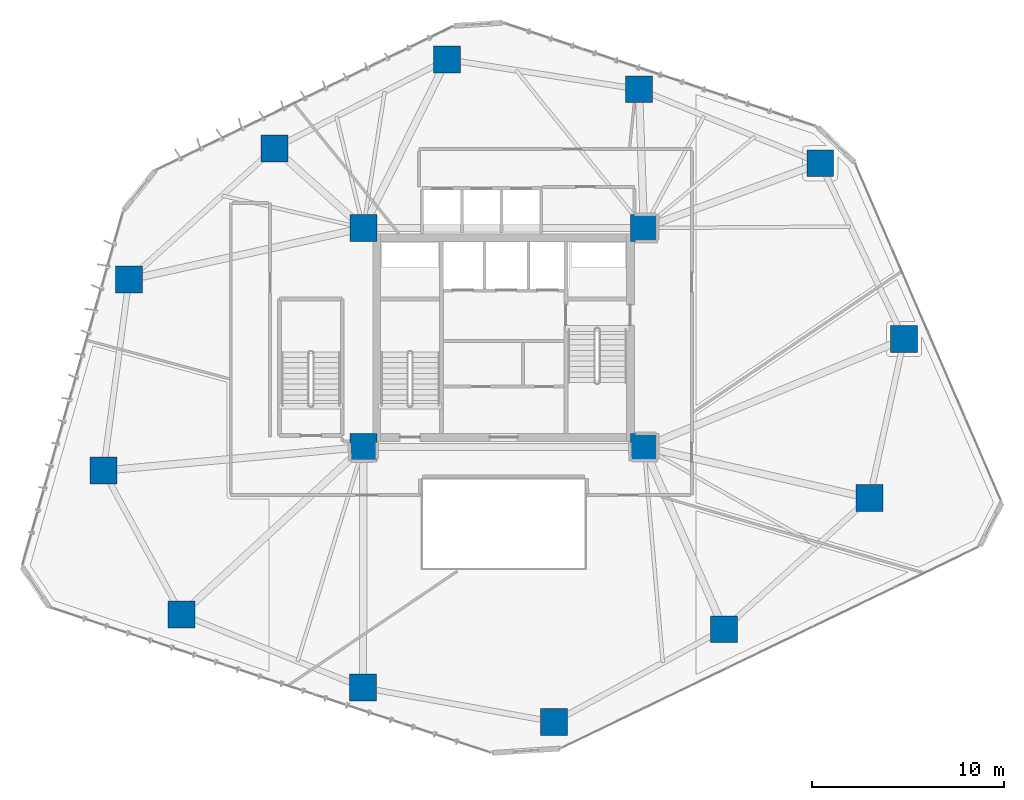
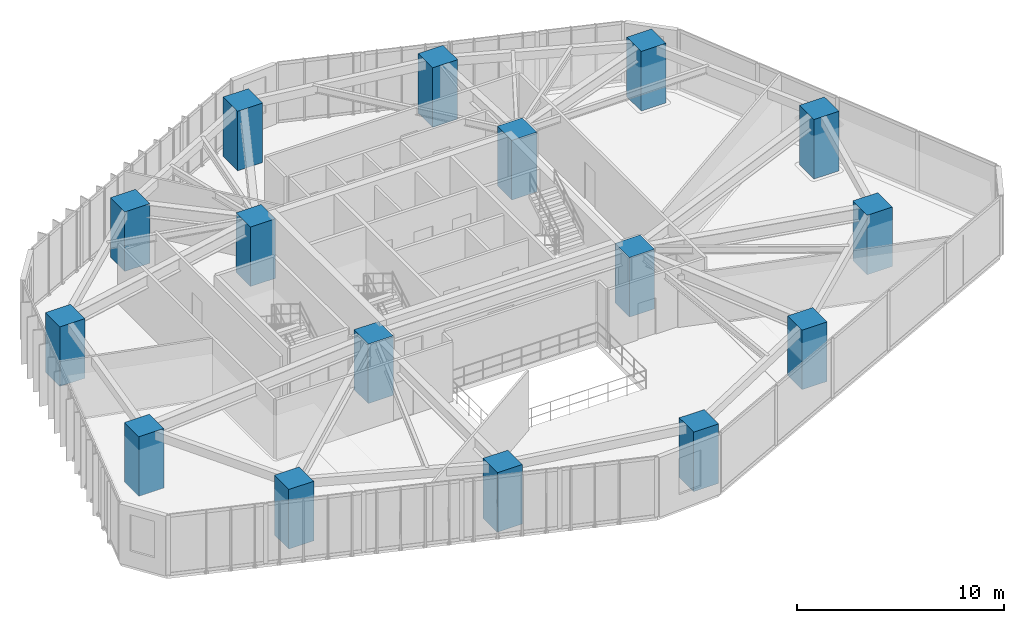
# One storey, part 1 of 23: 16 columns.
"""IFC4 building model written with IfcOpenShell, lengths in metres."""

import ifcopenshell
import ifcopenshell.guid

model = None  # the IFC model being written
_history = None  # IfcOwnerHistory: only IFC2X3 demands one
_inside = {}  # id of a spatial element -> (the spatial element, [elements in it])
_under = {}  # id of a project, library or spatial element -> (it, [spatial elements below it])
_declared = {}  # id of a project -> (the project, [libraries it declares])
_typed = {}  # id of a type object -> (the type object, [elements of that type])
_made_of = {}  # id of a material, layer set ... -> (it, [elements and type objects made of it])


def new_model(schema):
    """Start an empty IFC model of exactly this schema.

    Asked for "IFC4X3", IfcOpenShell would pick the latest addendum, in which some entities
    have other attributes; the version numbers below select the first issue.
    IFC2X3 requires an IfcOwnerHistory on every rooted entity: one is made here for all.
    """
    global model, _history
    if schema == "IFC4X3":
        model = ifcopenshell.file(schema_version=(4, 3, 0, 0))
    else:
        model = ifcopenshell.file(schema=schema)
    _inside.clear()
    _under.clear()
    _declared.clear()
    _typed.clear()
    _made_of.clear()
    _history = None
    if model.schema == "IFC2X3":
        org = make("IfcOrganization", Name="unknown")
        user = make(
            "IfcPersonAndOrganization",
            ThePerson=make("IfcPerson", FamilyName="unknown"),
            TheOrganization=org,
        )
        app = make(
            "IfcApplication",
            ApplicationDeveloper=org,
            Version="unknown",
            ApplicationFullName="unknown",
            ApplicationIdentifier="unknown",
        )
        _history = make(
            "IfcOwnerHistory",
            OwningUser=user,
            OwningApplication=app,
            ChangeAction="ADDED",
            CreationDate=0,
        )
    return model


def make(cls, **values):
    """One entity of the class cls with the attributes given. An attribute that is None is left unset."""
    return model.create_entity(
        cls, **{name: value for name, value in values.items() if value is not None}
    )


def rooted(cls, **values):
    """An entity with a GlobalId (a new one), such as an element, a storey or a relation."""
    return make(cls, GlobalId=ifcopenshell.guid.new(), OwnerHistory=_history, **values)


def si_unit(unit_type, name, prefix=None):
    """IfcSIUnit, for example si_unit("LENGTHUNIT", "METRE", prefix="MILLI")."""
    return make("IfcSIUnit", UnitType=unit_type, Prefix=prefix, Name=name)


def assignment(units):
    """IfcUnitAssignment: the units of a project."""
    return None if units is None else make("IfcUnitAssignment", Units=units)


def point(xyz):
    """IfcCartesianPoint."""
    return None if xyz is None else make("IfcCartesianPoint", Coordinates=xyz)


def direction(xyz):
    """IfcDirection."""
    return None if xyz is None else make("IfcDirection", DirectionRatios=xyz)


def frame(location, z_axis=None, x_axis=None):
    """IfcAxis2Placement3D, a coordinate frame: its origin and axes. An axis left out is left unset."""
    return make(
        "IfcAxis2Placement3D",
        Location=point(location),
        Axis=direction(z_axis),
        RefDirection=direction(x_axis),
    )


def frame_2d(location, x_axis=None):
    """IfcAxis2Placement2D, a coordinate frame in the plane: its origin and x axis."""
    return make(
        "IfcAxis2Placement2D", Location=point(location), RefDirection=direction(x_axis)
    )


def origin():
    """The frame at (0, 0, 0) with its axes left unset."""
    return frame((0.0, 0.0, 0.0))


def origin_2d():
    """The frame at (0, 0) in the plane with its x axis left unset."""
    return frame_2d((0.0, 0.0))


def place(relative_to, where):
    """IfcLocalPlacement: puts the frame where relative to a parent placement (None: the world)."""
    return make(
        "IfcLocalPlacement", PlacementRelTo=relative_to, RelativePlacement=where
    )


def context(
    kind, dimensions, precision=None, world=None, true_north=None, identifier=None
):
    """IfcGeometricRepresentationContext, for example the 3D "Model" context."""
    return make(
        "IfcGeometricRepresentationContext",
        ContextIdentifier=identifier,
        ContextType=kind,
        CoordinateSpaceDimension=dimensions,
        Precision=precision,
        WorldCoordinateSystem=world,
        TrueNorth=true_north,
    )


def subcontext(parent, identifier, kind, view, scale=None):
    """IfcGeometricRepresentationSubContext, for example "Body" below "Model"."""
    return make(
        "IfcGeometricRepresentationSubContext",
        ContextIdentifier=identifier,
        ContextType=kind,
        ParentContext=parent,
        TargetScale=scale,
        TargetView=view,
    )


def project(units=None, contexts=None):
    """IfcProject with its units and contexts."""
    return rooted(
        "IfcProject",
        Name="project",
        RepresentationContexts=contexts,
        UnitsInContext=assignment(units),
    )


def spatial(cls, under=None, at=None, **own):
    """A site, building, storey or space (cls), placed at a placement, below another one or the project."""
    s = rooted(cls, ObjectPlacement=at, **own)
    if under is not None:
        _under.setdefault(under.id(), (under, []))[1].append(s)
    return s


def profile(cls, at=None, kind="AREA", **sizes):
    """A parametric profile (cls). Its sizes go by their IFC names, for example OverallWidth=200.0."""
    return make(cls, ProfileType=kind, Position=at, **sizes)


def rectangle(**sizes):
    """IfcRectangleProfileDef."""
    return profile("IfcRectangleProfileDef", **sizes)


def extrude(swept, where, along, depth):
    """IfcExtrudedAreaSolid: the profile swept, set in the frame where, extruded along a direction by depth."""
    return make(
        "IfcExtrudedAreaSolid",
        SweptArea=swept,
        Position=where,
        ExtrudedDirection=direction(along),
        Depth=depth,
    )


def shape(context_of_items, identifier, shape_type, items):
    """IfcShapeRepresentation: the items that make up one representation, for example the "Body"."""
    return make(
        "IfcShapeRepresentation",
        ContextOfItems=context_of_items,
        RepresentationIdentifier=identifier,
        RepresentationType=shape_type,
        Items=items,
    )


def material(Name=None, Category=None):
    """IfcMaterial."""
    return make("IfcMaterial", Name=Name, Category=Category)


def material_profile(
    of_material, cross_section, Name=None, Category=None, Priority=None
):
    """IfcMaterialProfile: a cross section and its material."""
    return make(
        "IfcMaterialProfile",
        Name=Name,
        Material=of_material,
        Profile=cross_section,
        Priority=Priority,
        Category=Category,
    )


def profile_set(profiles, Name=None, composite=None):
    """IfcMaterialProfileSet."""
    return make(
        "IfcMaterialProfileSet",
        Name=Name,
        MaterialProfiles=profiles,
        CompositeProfile=composite,
    )


def made_of(thing, what):
    """Note that an element or type object is made of a material, layer set ...; save() writes the relation."""
    if what is not None:
        _made_of.setdefault(what.id(), (what, []))[1].append(thing)
    return thing


def type_object(cls, material=None, **own):
    """A type object (cls), such as IfcWallType, which elements share."""
    return made_of(rooted(cls, **own), material)


def element(
    cls,
    number,
    at=None,
    inside=None,
    cuts=None,
    type_object=None,
    material=None,
    context=None,
    identifier="Body",
    shape_type=None,
    held_by="IfcProductDefinitionShape",
    body=None,
    shapes=None,
    **own,
):
    """One element of the class cls, such as IfcWall. Its Tag is "e" and its number.

    at: its placement. inside: the storey or other place that contains it. cuts: it is an
    opening in that element (IfcRelVoidsElement). A single representation is given by context,
    identifier, shape_type and body (its items); several are given by shapes. held_by: the class
    of the entity that holds the representations. save() writes the other relations.
    """
    e = rooted(cls, Tag="e%d" % number, ObjectPlacement=at, **own)
    if body is not None:
        shapes = [shape(context, identifier, shape_type, body)]
    if shapes is not None:
        e.Representation = make(held_by, Representations=shapes)
    if inside is not None:
        _inside.setdefault(inside.id(), (inside, []))[1].append(e)
    if cuts is not None:
        rooted(
            "IfcRelVoidsElement", RelatingBuildingElement=cuts, RelatedOpeningElement=e
        )
    if type_object is not None:
        _typed.setdefault(type_object.id(), (type_object, []))[1].append(e)
    return made_of(e, material)


def aggregate(whole, parts):
    """IfcRelAggregates: a whole, such as a stair, and the parts it consists of."""
    return rooted("IfcRelAggregates", RelatingObject=whole, RelatedObjects=parts)


def save(model, path):
    """Write the relations noted so far, then the file.

    IfcRelAggregates (storeys below a building ...), IfcRelContainedInSpatialStructure (elements
    in a storey), IfcRelDefinesByType, IfcRelAssociatesMaterial and IfcRelDeclares: one each for
    every whole, place, type object, material and project.
    """
    for whole, parts in _under.values():
        aggregate(whole, parts)
    for where, things in _inside.values():
        rooted(
            "IfcRelContainedInSpatialStructure",
            RelatedElements=things,
            RelatingStructure=where,
        )
    for kind, things in _typed.values():
        rooted("IfcRelDefinesByType", RelatedObjects=things, RelatingType=kind)
    for what, things in _made_of.values():
        rooted("IfcRelAssociatesMaterial", RelatedObjects=things, RelatingMaterial=what)
    for by, libraries in _declared.values():
        rooted("IfcRelDeclares", RelatingContext=by, RelatedDefinitions=libraries)
    model.write(path)


model = new_model("IFC4")

# Units and contexts
model_context = context("Model", 3, precision=1e-05, world=origin(), true_north=direction((0.0, 1.0)))
body_context = subcontext(model_context, "Body", "Model", "MODEL_VIEW")
ifc_project = project(units=[si_unit("LENGTHUNIT", "METRE"), si_unit("AREAUNIT", "SQUARE_METRE"), si_unit("VOLUMEUNIT", "CUBIC_METRE"), si_unit("PLANEANGLEUNIT", "RADIAN"), si_unit("MASSUNIT", "GRAM", prefix="KILO")], contexts=[model_context])

# Site, building, storey
site_placement = place(None, origin())
site = spatial("IfcSite", under=ifc_project, at=site_placement, CompositionType="ELEMENT")
building_placement = place(site_placement, origin())
building = spatial("IfcBuilding", under=site, at=building_placement, Name="Talar Marvaseh", CompositionType="ELEMENT")
storey_placement = place(building_placement, frame((0.0, 0.0, 35.39990234375)))
storey = spatial("IfcBuildingStorey", under=building, at=storey_placement, Name="L08", CompositionType="ELEMENT", Elevation=35.39990234375)

# Columns
ifc_material = material(Name="Concrete C70/85", Category="concrete")
ifc_material_profile = material_profile(ifc_material, rectangle(XDim=1.39990234375, YDim=1.39990234375, at=origin_2d()), Name="RC1400x1400")
ifc_profile_set = profile_set([ifc_material_profile], Name="Concrete C70/85")
column_type = type_object("IfcColumnType", Name="Zone 1 Tube Column RC1400x1400", PredefinedType="COLUMN", material=ifc_profile_set)
for number, where, z_axis, x_axis, name in (
    (1, (42.47705078125, 40.26904296875, 0.0), (0.0, 0.0, 1.0), (1.0, 0.0, 0.0), "L08 Zone 1 Tube Column RC1400x1400"),
    (2, (46.841064453125, 31.118896484375, 0.0), (0.0, 0.0, 1.0), (1.0, 0.0, 0.0), "L08 Zone 1 Tube Column RC1400x1400"),
    (3, (45.0439453125, 22.840087890625, 0.0), (0.0, 0.0, 1.0), (1.0, 0.0, 0.0), "L08 Zone 1 Tube Column RC1400x1400"),
    (4, (37.468017578125, 16.02099609375, 0.0), (0.0, 0.0, 1.0), (1.0, 0.0, 0.0), "L08 Zone 1 Tube Column RC1400x1400"),
    (5, (28.625, 11.195068359375, 0.0), (0.0, 0.0, 1.0), (1.0, 0.0, 0.0), "L08 Zone 1 Tube Column RC1400x1400"),
    (6, (18.68310546875, 12.97900390625, 0.0), (0.0, 0.0, 1.0), (1.0, 0.0, 0.0), "L08 Zone 1 Tube Column RC1400x1400"),
    (7, (9.23193359375, 16.7958984375, 0.0), (0.0, 0.0, 1.0), (1.0, 0.0, 0.0), "L08 Zone 1 Tube Column RC1400x1400"),
    (8, (5.175048828125, 24.27587890625, 0.0), (0.0, 0.0, 1.0), (1.0, 0.0, 0.0), "L08 Zone 1 Tube Column RC1400x1400"),
    (9, (6.501953125, 34.214111328125, 0.0), (0.0, 0.0, 1.0), (1.0, 0.0, 0.0), "L08 Zone 1 Tube Column RC1400x1400"),
    (10, (14.069091796875, 41.04296875, 0.0), (0.0, 0.0, 1.0), (1.0, 0.0, 0.0), "L08 Zone 1 Tube Column RC1400x1400"),
    (11, (23.047119140625, 45.6669921875, 0.0), (0.0, 0.0, 1.0), (1.0, 0.0, 0.0), "L08 Zone 1 Tube Column RC1400x1400"),
    (12, (33.0458984375, 44.117919921875, 0.0), (0.0, 0.0, 1.0), (1.0, 0.0, 0.0), "L08 Zone 1 Tube Column RC1400x1400"),
    (13, (18.699951171875, 25.5, 0.0), (0.0, 0.0, 1.0), (1.0, 0.0, 0.0), "L08 Zone 1 Tube Column RC1400x1400"),
    (14, (33.300048828125, 25.5, 0.0), (0.0, 0.0, 1.0), (1.0, 0.0, 0.0), "L08 Zone 1 Tube Column RC1400x1400"),
    (15, (33.300048828125, 36.89990234375, 0.0), (0.0, 0.0, 1.0), (1.0, 0.0, 0.0), "L08 Zone 1 Tube Column RC1400x1400"),
    (16, (18.699951171875, 36.89990234375, 0.0), (0.0, 0.0, 1.0), (1.0, 0.0, 0.0), "L08 Zone 1 Tube Column RC1400x1400"),
):
    element("IfcColumn", number, at=place(storey_placement, frame(where, z_axis=z_axis, x_axis=x_axis)), inside=storey, type_object=column_type, Name=name, PredefinedType="COLUMN", context=body_context, shape_type="SweptSolid", body=[
        extrude(rectangle(XDim=1.39990234375, YDim=1.39990234375, at=origin_2d()), origin(), (0.0, 0.0, 1.0), 3.52001953125),
    ])

save(model, "model.ifc")
